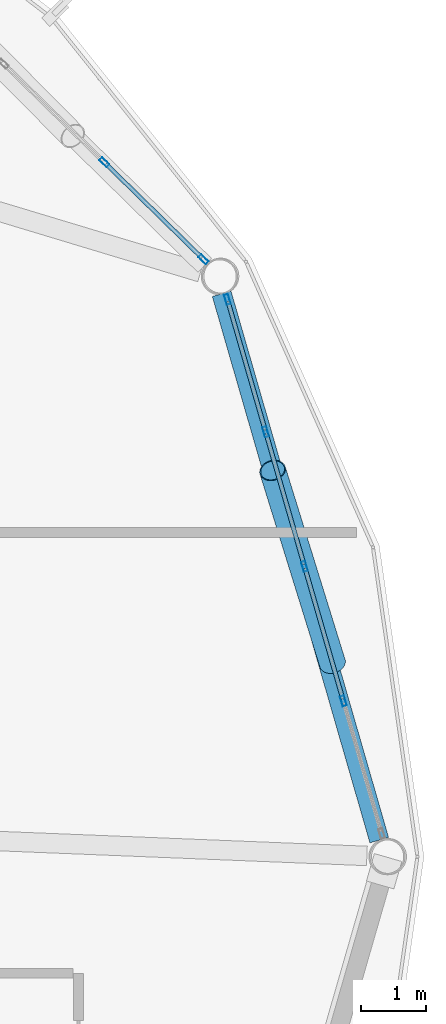
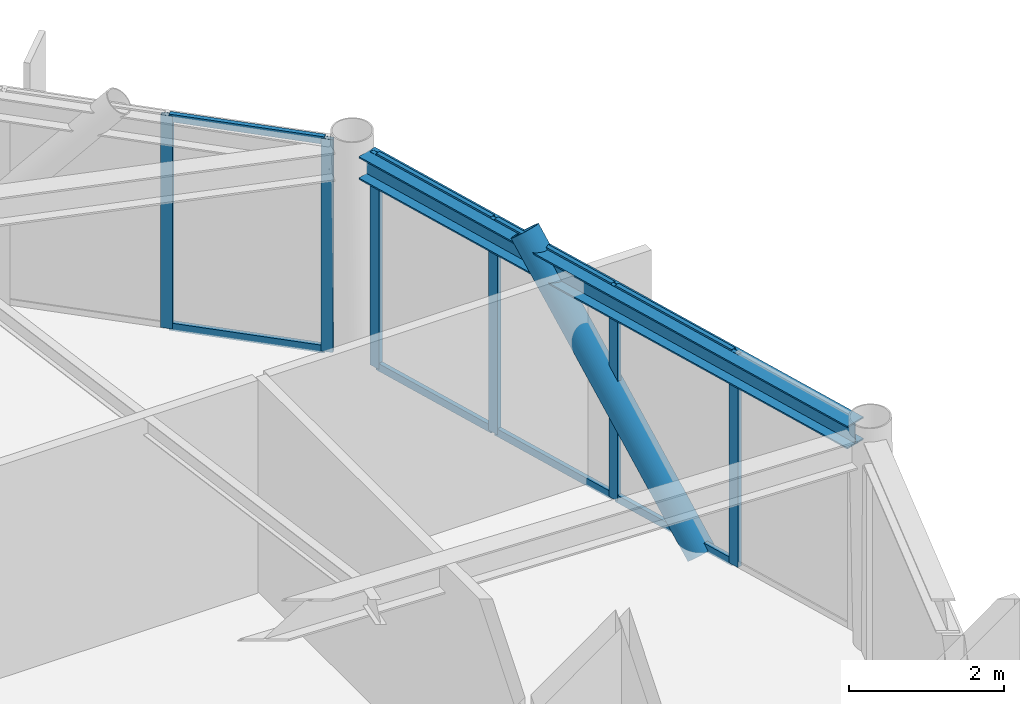
# One storey, part 16 of 25: 15 members, 1 beam, 2 elements without a shape of their own.
"""IFC4 building model written with IfcOpenShell, lengths in metres."""

from ifc_helpers import new_model, si_unit, direction, frame, origin, origin_2d, place, context, subcontext, project, spatial, hollow_rectangle, hollow_circle, i_section, extrude, material, layer, layer_set, material_profile, profile_set, type_object, element, aggregate, save


model = new_model("IFC4")

# Units and contexts
model_context = context("Model", 3, precision=1e-05, world=origin(), true_north=direction((0.0, 1.0)))
body_context = subcontext(model_context, "Body", "Model", "MODEL_VIEW")
ifc_project = project(units=[si_unit("LENGTHUNIT", "METRE"), si_unit("AREAUNIT", "SQUARE_METRE"), si_unit("VOLUMEUNIT", "CUBIC_METRE"), si_unit("PLANEANGLEUNIT", "RADIAN"), si_unit("MASSUNIT", "GRAM", prefix="KILO")], contexts=[model_context])

# Site, building, storey
site_placement = place(None, origin())
site = spatial("IfcSite", under=ifc_project, at=site_placement, CompositionType="ELEMENT")
building_placement = place(site_placement, origin())
building = spatial("IfcBuilding", under=site, at=building_placement, Name="Varnakorn Sky Granary", CompositionType="ELEMENT")
storey_placement = place(building_placement, frame((0.0, 0.0, 252.60009765625)))
storey = spatial("IfcBuildingStorey", under=building, at=storey_placement, Name="L64", CompositionType="ELEMENT", Elevation=252.60009765625)

# Beam
ifc_material_1 = material(Name="Steel S355JR", Category="steel")
ifc_material_profile_1 = material_profile(ifc_material_1, i_section(OverallWidth=0.300048828125, OverallDepth=0.360107421875, WebThickness=0.012451171875, FlangeThickness=0.0224609375, at=origin_2d()), Name="HE 360 B")
ifc_profile_set_1 = profile_set([ifc_material_profile_1], Name="Steel S355JR")
beam_type = type_object("IfcBeamType", Name="BM-SPD-Z5", PredefinedType="SPANDREL", material=ifc_profile_set_1)
beam_placement = place(storey_placement, frame((23.13671875, 0.254150390625, 3.179931640625), z_axis=(-0.277095414321, 0.960842407142, 0.0), x_axis=(-0.960842407142, -0.277095414321, 0.0)))
element("IfcBeam", 1, at=beam_placement, inside=storey, type_object=beam_type, Name="Perimeter Spandrel Ring Beam RB01 L64", PredefinedType="SPANDREL", context=body_context, shape_type="SweptSolid", body=[
    extrude(i_section(OverallWidth=0.300048828125, OverallDepth=0.360107421875, WebThickness=0.012451171875, FlangeThickness=0.0224609375, at=origin_2d()), origin(), (0.0, 0.0, 1.0), 8.770263671875),
])

# Curtain wall, members
ifc_material_2 = material(Name="Anodised Bronze Aluminium Alloy 6063-T6", Category="aluminium")
ifc_layer = layer(ifc_material_2, 0.159912109375, Name="Anodised Bronze Aluminium Alloy 6063-T6")
ifc_layer_set = layer_set([ifc_layer], Name="Anodised Bronze Aluminium Alloy 6063-T6")
curtain_wall_type = type_object("IfcCurtainWallType", Name="CW-OFF-1", PredefinedType="USERDEFINED", material=ifc_layer_set)
curtain_wall_1_placement = place(storey_placement, origin())
curtain_wall_1 = element("IfcCurtainWall", 2, at=curtain_wall_1_placement, inside=storey, type_object=curtain_wall_type, Name="Unitised Curtain Wall CW6 CW-L64-B01", ObjectType="CURTAIN WALL", PredefinedType="USERDEFINED")
ifc_material_profile_2 = material_profile(ifc_material_2, hollow_rectangle(XDim=0.06494140625, YDim=0.159912109375, WallThickness=0.00341796875, at=origin_2d()), Name="ALU MULL 65x160")
ifc_profile_set_2 = profile_set([ifc_material_profile_2], Name="Anodised Bronze Aluminium Alloy 6063-T6")
member_type_1 = type_object("IfcMemberType", Name="CW-OFF-1-MULL", PredefinedType="MULLION", material=ifc_profile_set_2)
member_1_placement = place(storey_placement, frame((20.79443359375, 8.594482421875, 0.0), z_axis=(0.0, 0.0, 1.0), x_axis=(0.960725361921, 0.277500953082, 0.0)))
member_1 = element("IfcMember", 3, at=member_1_placement, type_object=member_type_1, Name="CW6 mullion 1", PredefinedType="MULLION", context=body_context, shape_type="SweptSolid", body=[
    extrude(hollow_rectangle(XDim=0.06494140625, YDim=0.159912109375, WallThickness=0.00341796875, at=origin_2d()), origin(), (0.0, 0.0, 1.0), 3.35986328125),
])
member_2_placement = place(storey_placement, frame((21.384765625, 6.55078125, 0.0), z_axis=(0.0, 0.0, 1.0), x_axis=(0.960725361921, 0.277500953082, 0.0)))
member_2 = element("IfcMember", 4, at=member_2_placement, type_object=member_type_1, Name="CW6 mullion 2", PredefinedType="MULLION", context=body_context, shape_type="SweptSolid", body=[
    extrude(hollow_rectangle(XDim=0.06494140625, YDim=0.159912109375, WallThickness=0.00341796875, at=origin_2d()), origin(), (0.0, 0.0, 1.0), 3.35986328125),
])
member_3_placement = place(storey_placement, frame((21.984130859375, 4.47607421875, 0.0), z_axis=(0.0, 0.0, 1.0), x_axis=(0.960725361921, 0.277500953082, 0.0)))
member_3 = element("IfcMember", 5, at=member_3_placement, type_object=member_type_1, Name="CW6 mullion 3", PredefinedType="MULLION", context=body_context, shape_type="SweptSolid", body=[
    extrude(hollow_rectangle(XDim=0.06494140625, YDim=0.159912109375, WallThickness=0.00341796875, at=origin_2d()), origin(), (0.0, 0.0, 1.0), 3.35986328125),
])
member_4_placement = place(storey_placement, frame((22.58349609375, 2.401123046875, 0.0), z_axis=(0.0, 0.0, 1.0), x_axis=(0.960725361921, 0.277500953082, 0.0)))
member_4 = element("IfcMember", 6, at=member_4_placement, type_object=member_type_1, Name="CW6 mullion 4", PredefinedType="MULLION", context=body_context, shape_type="SweptSolid", body=[
    extrude(hollow_rectangle(XDim=0.06494140625, YDim=0.159912109375, WallThickness=0.00341796875, at=origin_2d()), origin(), (0.0, 0.0, 1.0), 3.35986328125),
])

curtain_wall_2_placement = place(storey_placement, origin())
curtain_wall_2 = element("IfcCurtainWall", 7, at=curtain_wall_2_placement, inside=storey, type_object=curtain_wall_type, Name="Unitised Curtain Wall CW6 CW-L64-B02", ObjectType="CURTAIN WALL", PredefinedType="USERDEFINED")
member_5_placement = place(storey_placement, frame((18.896240234375, 10.708984375, 0.0), z_axis=(0.0, 0.0, 1.0), x_axis=(0.699482431072, 0.71464979439, 0.0)))
member_5 = element("IfcMember", 8, at=member_5_placement, type_object=member_type_1, Name="CW6 mullion 4", PredefinedType="MULLION", context=body_context, shape_type="SweptSolid", body=[
    extrude(hollow_rectangle(XDim=0.06494140625, YDim=0.159912109375, WallThickness=0.00341796875, at=origin_2d()), origin(), (0.0, 0.0, 1.0), 3.35986328125),
])
member_6_placement = place(storey_placement, frame((20.425537109375, 9.212158203125, 0.0), z_axis=(0.0, 0.0, 1.0), x_axis=(0.699482431072, 0.71464979439, 0.0)))
member_6 = element("IfcMember", 9, at=member_6_placement, type_object=member_type_1, Name="CW6 mullion 5", PredefinedType="MULLION", context=body_context, shape_type="SweptSolid", body=[
    extrude(hollow_rectangle(XDim=0.06494140625, YDim=0.159912109375, WallThickness=0.00341796875, at=origin_2d()), origin(), (0.0, 0.0, 1.0), 3.35986328125),
])

# Member
ifc_material_profile_3 = material_profile(ifc_material_2, hollow_rectangle(XDim=0.06494140625, YDim=0.1201171875, WallThickness=0.00341796875, at=origin_2d()), Name="ALU TRAN 65x120")
ifc_profile_set_3 = profile_set([ifc_material_profile_3], Name="Anodised Bronze Aluminium Alloy 6063-T6")
member_type_2 = type_object("IfcMemberType", Name="CW-OFF-1-TRAN", PredefinedType="USERDEFINED", material=ifc_profile_set_3)
member_7_placement = place(storey_placement, frame((20.803466796875, 8.563232421875, 0.032470703125), z_axis=(0.277503229464, -0.960724704396, 0.0), x_axis=(0.960724704396, 0.277503229464, 0.0)))
member_7 = element("IfcMember", 10, at=member_7_placement, type_object=member_type_2, Name="CW6 transom 1.1", ObjectType="TRANSOM", PredefinedType="USERDEFINED", context=body_context, shape_type="SweptSolid", body=[
    extrude(hollow_rectangle(XDim=0.06494140625, YDim=0.1201171875, WallThickness=0.00341796875, at=origin_2d()), origin(), (0.0, 0.0, 1.0), 2.062255859375),
])

member_8_placement = place(storey_placement, frame((20.803466796875, 8.563232421875, 3.327392578125), z_axis=(0.277503229464, -0.960724704396, 0.0), x_axis=(0.960724704396, 0.277503229464, 0.0)))
member_8 = element("IfcMember", 11, at=member_8_placement, type_object=member_type_2, Name="CW6 transom 1.2", ObjectType="TRANSOM", PredefinedType="USERDEFINED", context=body_context, shape_type="SweptSolid", body=[
    extrude(hollow_rectangle(XDim=0.06494140625, YDim=0.1201171875, WallThickness=0.00341796875, at=origin_2d()), origin(), (0.0, 0.0, 1.0), 2.062255859375),
])

member_9_placement = place(storey_placement, frame((21.393798828125, 6.519775390625, 0.032470703125), z_axis=(0.27750618562, -0.960723850512, 0.0), x_axis=(0.960723850512, 0.27750618562, 0.0)))
member_9 = element("IfcMember", 12, at=member_9_placement, type_object=member_type_2, Name="CW6 transom 2.1", ObjectType="TRANSOM", PredefinedType="USERDEFINED", context=body_context, shape_type="SweptSolid", body=[
    extrude(hollow_rectangle(XDim=0.06494140625, YDim=0.1201171875, WallThickness=0.00341796875, at=origin_2d()), origin(), (0.0, 0.0, 1.0), 2.0947265625),
])

member_10_placement = place(storey_placement, frame((21.393798828125, 6.519775390625, 3.327392578125), z_axis=(0.27750618562, -0.960723850512, 0.0), x_axis=(0.960723850512, 0.27750618562, 0.0)))
member_10 = element("IfcMember", 13, at=member_10_placement, type_object=member_type_2, Name="CW6 transom 2.2", ObjectType="TRANSOM", PredefinedType="USERDEFINED", context=body_context, shape_type="SweptSolid", body=[
    extrude(hollow_rectangle(XDim=0.06494140625, YDim=0.1201171875, WallThickness=0.00341796875, at=origin_2d()), origin(), (0.0, 0.0, 1.0), 2.0947265625),
])

member_11_placement = place(storey_placement, frame((21.9931640625, 4.44482421875, 0.032470703125), z_axis=(0.27750618562, -0.960723850512, 0.0), x_axis=(0.960723850512, 0.27750618562, 0.0)))
member_11 = element("IfcMember", 14, at=member_11_placement, type_object=member_type_2, Name="CW6 transom 3.1", ObjectType="TRANSOM", PredefinedType="USERDEFINED", context=body_context, shape_type="SweptSolid", body=[
    extrude(hollow_rectangle(XDim=0.06494140625, YDim=0.1201171875, WallThickness=0.00341796875, at=origin_2d()), origin(), (0.0, 0.0, 1.0), 2.0947265625),
])

member_12_placement = place(storey_placement, frame((21.9931640625, 4.44482421875, 3.327392578125), z_axis=(0.27750618562, -0.960723850512, 0.0), x_axis=(0.960723850512, 0.27750618562, 0.0)))
member_12 = element("IfcMember", 15, at=member_12_placement, type_object=member_type_2, Name="CW6 transom 3.2", ObjectType="TRANSOM", PredefinedType="USERDEFINED", context=body_context, shape_type="SweptSolid", body=[
    extrude(hollow_rectangle(XDim=0.06494140625, YDim=0.1201171875, WallThickness=0.00341796875, at=origin_2d()), origin(), (0.0, 0.0, 1.0), 2.0947265625),
])

aggregate(curtain_wall_1, [member_1, member_2, member_3, member_4, member_7, member_8, member_9, member_10, member_11, member_12])

member_13_placement = place(storey_placement, frame((18.91943359375, 10.686279296875, 0.032470703125), z_axis=(0.714655000543, -0.69947711199, 0.0), x_axis=(0.69947711199, 0.714655000543, 0.0)))
member_13 = element("IfcMember", 16, at=member_13_placement, type_object=member_type_2, Name="CW6 transom 4.1", ObjectType="TRANSOM", PredefinedType="USERDEFINED", context=body_context, shape_type="SweptSolid", body=[
    extrude(hollow_rectangle(XDim=0.06494140625, YDim=0.1201171875, WallThickness=0.00341796875, at=origin_2d()), origin(), (0.0, 0.0, 1.0), 2.074951171875),
])

member_14_placement = place(storey_placement, frame((18.91943359375, 10.686279296875, 3.327392578125), z_axis=(0.714655000543, -0.69947711199, 0.0), x_axis=(0.69947711199, 0.714655000543, 0.0)))
member_14 = element("IfcMember", 17, at=member_14_placement, type_object=member_type_2, Name="CW6 transom 4.2", ObjectType="TRANSOM", PredefinedType="USERDEFINED", context=body_context, shape_type="SweptSolid", body=[
    extrude(hollow_rectangle(XDim=0.06494140625, YDim=0.1201171875, WallThickness=0.00341796875, at=origin_2d()), origin(), (0.0, 0.0, 1.0), 2.074951171875),
])

aggregate(curtain_wall_2, [member_5, member_6, member_13, member_14])

ifc_material_3 = material(Name="Steel S460M", Category="steel")
ifc_material_profile_4 = material_profile(ifc_material_3, hollow_circle(Radius=0.203125, WallThickness=0.01611328125, at=origin_2d()), Name="CHS 406.4x16")
ifc_profile_set_4 = profile_set([ifc_material_profile_4], Name="Steel S460M")
member_type_3 = type_object("IfcMemberType", Name="MB-DIAG-T4", PredefinedType="BRACE", material=ifc_profile_set_4)
member_15_placement = place(storey_placement, frame((22.4150390625, 2.98388671875, -0.130126953125), z_axis=(-0.193291016837, 0.62267320424, 0.758232591974), x_axis=(-0.955043463646, -0.296465820201, 0.0)))
element("IfcMember", 18, at=member_15_placement, inside=storey, type_object=member_type_3, Name="Perimeter CHS Diagrid Brace DG01 L64", PredefinedType="BRACE", context=body_context, shape_type="SweptSolid", body=[
    extrude(hollow_circle(Radius=0.203125, WallThickness=0.01611328125, at=origin_2d()), origin(), (0.0, 0.0, 1.0), 4.7744140625),
])

save(model, "model.ifc")
